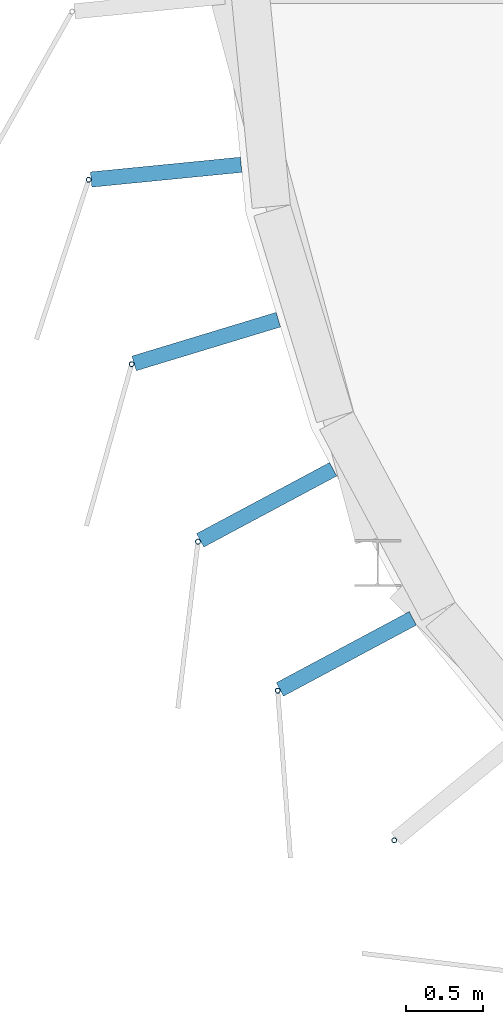
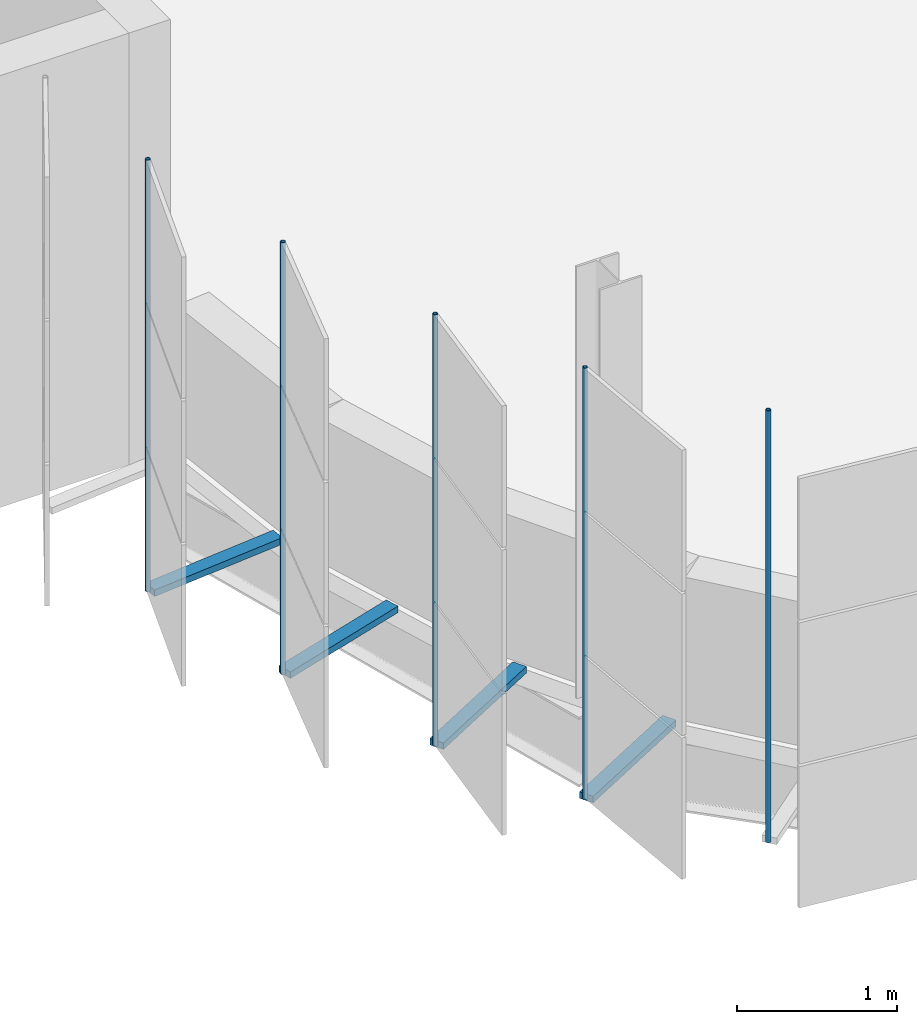
# One storey, part 85 of 214: 9 discrete accessories.
"""IFC4 building model written with IfcOpenShell, lengths in metres."""

from ifc_helpers import new_model, si_unit, direction, frame, origin, origin_2d, place, context, subcontext, project, spatial, rectangle, hollow_circle, extrude, material, material_profile, profile_set, type_object, element, save


model = new_model("IFC4")

# Units and contexts
model_context = context("Model", 3, precision=1e-05, world=origin(), true_north=direction((0.0, 1.0)))
body_context = subcontext(model_context, "Body", "Model", "MODEL_VIEW")
ifc_project = project(units=[si_unit("LENGTHUNIT", "METRE"), si_unit("AREAUNIT", "SQUARE_METRE"), si_unit("VOLUMEUNIT", "CUBIC_METRE"), si_unit("PLANEANGLEUNIT", "RADIAN"), si_unit("MASSUNIT", "GRAM", prefix="KILO")], contexts=[model_context])

# Site, building, storey
site_placement = place(None, origin())
site = spatial("IfcSite", under=ifc_project, at=site_placement, CompositionType="ELEMENT")
building_placement = place(site_placement, origin())
building = spatial("IfcBuilding", under=site, at=building_placement, Name="Parallax Yard Mobility Hub", CompositionType="ELEMENT")
storey_placement = place(building_placement, frame((0.0, 0.0, 3.300048828125)))
storey = spatial("IfcBuildingStorey", under=building, at=storey_placement, Name="L01", CompositionType="ELEMENT", Elevation=3.300048828125)

# Discrete accessories
ifc_material_1 = material(Name="Steel ASTM A36, hot-dip galvanised", Category="steel")
discrete_accessory_type_1 = type_object("IfcDiscreteAccessoryType", Name="Hinge bracket plate 100x50", PredefinedType="BRACKET", material=ifc_material_1)
for number, where, z_axis, x_axis, name in (
    (1, (22.123779296875, 118.802978515625, -0.02490234375), (0.0, 0.0, 1.0), (-0.995184726672, -0.09801714033, 0.0), "Hinge bracket plate bay 72.2 level L01"),
    (2, (22.38525390625, 117.697021484375, -0.02490234375), (0.0, 0.0, 1.0), (-0.956940335732, -0.290284677254, 0.0), "Hinge bracket plate bay 72.3 level L01"),
    (3, (22.780029296875, 116.631103515625, -0.02490234375), (0.0, 0.0, 1.0), (-0.881921264348, -0.471396736826, 0.0), "Hinge bracket plate bay 72.4 level L01"),
    (4, (23.30029296875, 115.65771484375, -0.02490234375), (0.0, 0.0, 1.0), (-0.881921264348, -0.471396736826, 0.0), "Hinge bracket plate bay 72.5 level L01"),
):
    element("IfcDiscreteAccessory", number, at=place(storey_placement, frame(where, z_axis=z_axis, x_axis=x_axis)), inside=storey, type_object=discrete_accessory_type_1, Name=name, PredefinedType="BRACKET", context=body_context, shape_type="SweptSolid", body=[
        extrude(rectangle(XDim=0.984130859375, YDim=0.10009765625, at=origin_2d()), origin(), (0.0, 0.0, 1.0), 0.050048828125),
    ])
ifc_material_2 = material(Name="Steel ASTM A500 Gr C, hot-dip galvanised", Category="steel")
ifc_material_profile = material_profile(ifc_material_2, hollow_circle(Radius=0.016845703125, WallThickness=0.003173828125, at=origin_2d()), Name="CHS 33.7x3.2")
ifc_profile_set = profile_set([ifc_material_profile], Name="Steel ASTM A500 Gr C, hot-dip galvanised")
discrete_accessory_type_2 = type_object("IfcDiscreteAccessoryType", Name="Hinge post CHS 33.7x3.2", PredefinedType="BRACKET", material=ifc_profile_set)
for number, where, z_axis, x_axis, name in (
    (5, (21.617919921875, 118.75341796875, 0.0), (0.0, 0.0, 1.0), (1.0, 0.0, 0.0), "Hinge post bay 72.2 level L01"),
    (6, (21.898681640625, 117.54931640625, 0.0), (0.0, 0.0, 1.0), (1.0, 0.0, 0.0), "Hinge post bay 72.3 level L01"),
    (7, (22.331787109375, 116.391357421875, 0.0), (0.0, 0.0, 1.0), (1.0, 0.0, 0.0), "Hinge post bay 72.4 level L01"),
    (8, (22.85205078125, 115.418212890625, 0.0), (0.0, 0.0, 1.0), (1.0, 0.0, 0.0), "Hinge post bay 72.5 level L01"),
    (9, (23.613037109375, 114.44091796875, 0.0), (0.0, 0.0, 1.0), (1.0, 0.0, 0.0), "Hinge post bay 72.6 level L01"),
):
    element("IfcDiscreteAccessory", number, at=place(storey_placement, frame(where, z_axis=z_axis, x_axis=x_axis)), inside=storey, type_object=discrete_accessory_type_2, Name=name, PredefinedType="BRACKET", context=body_context, shape_type="SweptSolid", body=[
        extrude(hollow_circle(Radius=0.016845703125, WallThickness=0.003173828125, at=origin_2d()), origin(), (0.0, 0.0, 1.0), 3.300048828125),
    ])

save(model, "model.ifc")
